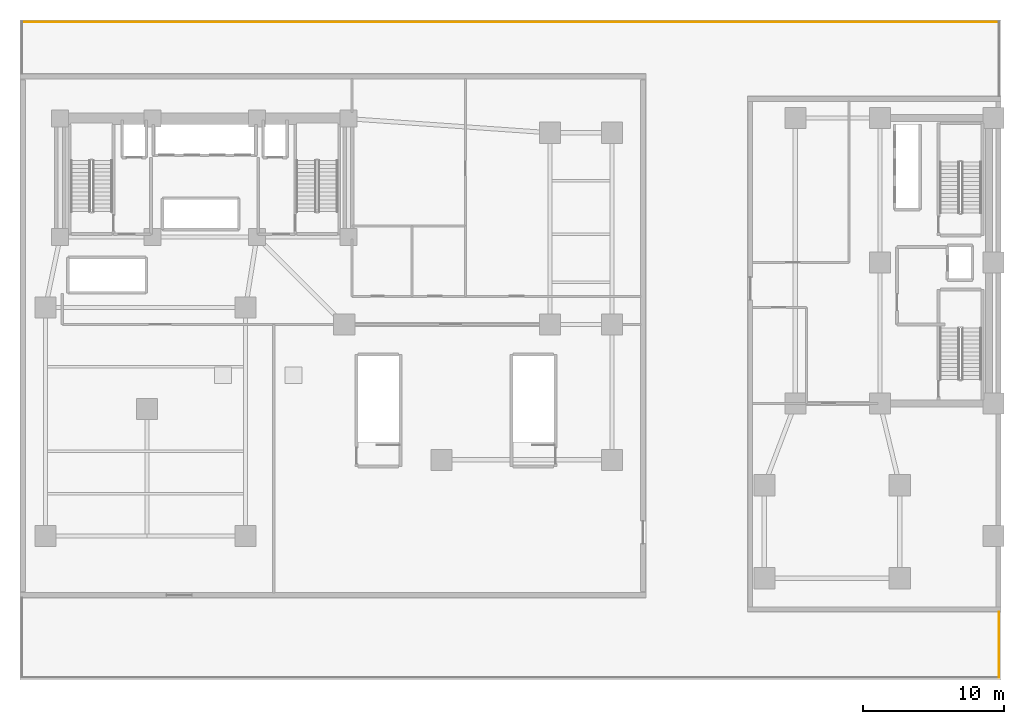
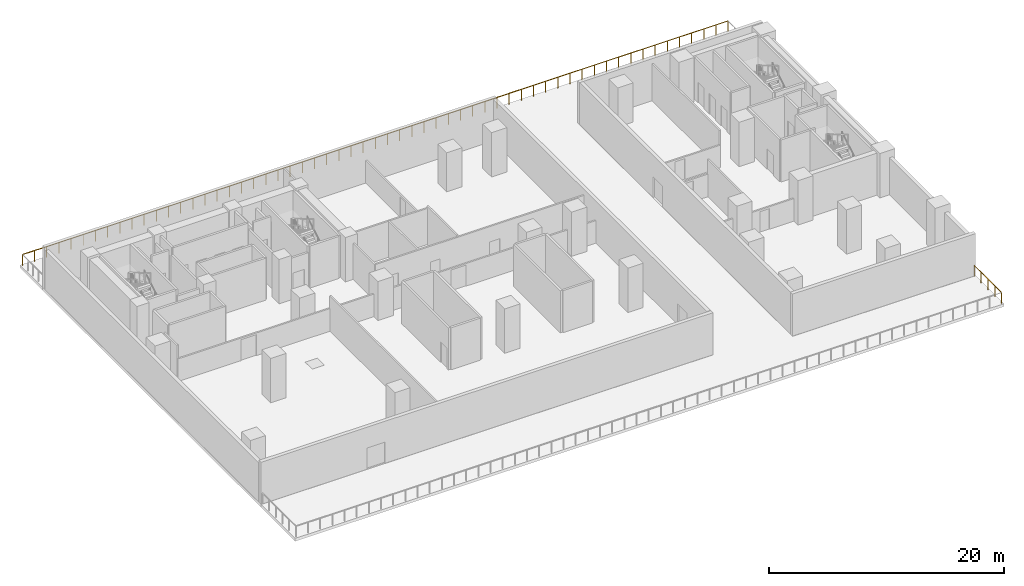
# One storey, part 8 of 9: 2 railings.
"""IFC4 building model written with IfcOpenShell, lengths in metres."""

from ifc_helpers import new_model, si_unit, direction, frame, origin, origin_2d, place, context, subcontext, project, spatial, circle, extrude, material, layer, layer_set, type_object, element, save


model = new_model("IFC4")

# Units and contexts
model_context = context("Model", 3, precision=1e-05, world=origin(), true_north=direction((0.0, 1.0)))
body_context = subcontext(model_context, "Body", "Model", "MODEL_VIEW")
ifc_project = project(units=[si_unit("LENGTHUNIT", "METRE"), si_unit("AREAUNIT", "SQUARE_METRE"), si_unit("VOLUMEUNIT", "CUBIC_METRE"), si_unit("PLANEANGLEUNIT", "RADIAN"), si_unit("MASSUNIT", "GRAM", prefix="KILO")], contexts=[model_context])

# Site, building, storey
site_placement = place(None, origin())
site = spatial("IfcSite", under=ifc_project, at=site_placement, CompositionType="ELEMENT")
building_placement = place(site_placement, origin())
building = spatial("IfcBuilding", under=site, at=building_placement, Name="Kuzgunbayir Cultural Tower", CompositionType="ELEMENT")
storey_placement = place(building_placement, frame((0.0, 0.0, 21.800048828125)))
storey = spatial("IfcBuildingStorey", under=building, at=storey_placement, Name="L05", CompositionType="ELEMENT", Elevation=21.800048828125)

# Railings
ifc_material = material(Name="Laminated Glass and Stainless Steel", Category="steel")
ifc_layer = layer(ifc_material, 0.080078125)
ifc_layer_set = layer_set([ifc_layer], Name="Laminated Glass and Stainless Steel")
railing_type = type_object("IfcRailingType", Name="RLG-BAL-115", PredefinedType="BALUSTRADE", material=ifc_layer_set)
railing_1_placement = place(storey_placement, frame((73.050048828125, 2.550048828125, 0.0)))
element("IfcRailing", 1, at=railing_1_placement, inside=storey, type_object=railing_type, Name="L05 Raised Garden South Guard Segment 3", PredefinedType="BALUSTRADE", context=body_context, shape_type="SweptSolid", body=[
    extrude(circle(Radius=0.02392578125, at=origin_2d()), frame((0.0, 0.0, 1.1259765625), z_axis=(0.0, 1.0, 0.0), x_axis=(-1.0, 0.0, 0.0)), (0.0, 0.0, 1.0), 4.64990234375),
    extrude(circle(Radius=0.02099609375, at=origin_2d()), origin(), (0.0, 0.0, 1.0), 1.101806640625),
    extrude(circle(Radius=0.02099609375, at=origin_2d()), frame((0.0, 1.16259765625, 0.0)), (0.0, 0.0, 1.0), 1.101806640625),
    extrude(circle(Radius=0.02099609375, at=origin_2d()), frame((0.0, 2.324951171875, 0.0)), (0.0, 0.0, 1.0), 1.101806640625),
    extrude(circle(Radius=0.02099609375, at=origin_2d()), frame((0.0, 3.4873046875, 0.0)), (0.0, 0.0, 1.0), 1.101806640625),
    extrude(circle(Radius=0.02099609375, at=origin_2d()), frame((0.0, 4.64990234375, 0.0)), (0.0, 0.0, 1.0), 1.101806640625),
])
railing_2_placement = place(storey_placement, frame((3.75, 49.050048828125, 0.0)))
element("IfcRailing", 2, at=railing_2_placement, inside=storey, type_object=railing_type, Name="L05 Raised Garden North Guard Segment 2", PredefinedType="BALUSTRADE", context=body_context, shape_type="SweptSolid", body=[
    extrude(circle(Radius=0.02392578125, at=origin_2d()), frame((0.0, 0.0, 1.1259765625), z_axis=(1.0, 0.0, 0.0), x_axis=(0.0, 1.0, 0.0)), (0.0, 0.0, 1.0), 69.300048828125),
    extrude(circle(Radius=0.02099609375, at=origin_2d()), origin(), (0.0, 0.0, 1.0), 1.101806640625),
    extrude(circle(Radius=0.02099609375, at=origin_2d()), frame((1.19482421875, 0.0, 0.0)), (0.0, 0.0, 1.0), 1.101806640625),
    extrude(circle(Radius=0.02099609375, at=origin_2d()), frame((2.3896484375, 0.0, 0.0)), (0.0, 0.0, 1.0), 1.101806640625),
    extrude(circle(Radius=0.02099609375, at=origin_2d()), frame((3.58447265625, 0.0, 0.0)), (0.0, 0.0, 1.0), 1.101806640625),
    extrude(circle(Radius=0.02099609375, at=origin_2d()), frame((4.779296875, 0.0, 0.0)), (0.0, 0.0, 1.0), 1.101806640625),
    extrude(circle(Radius=0.02099609375, at=origin_2d()), frame((5.97412109375, 0.0, 0.0)), (0.0, 0.0, 1.0), 1.101806640625),
    extrude(circle(Radius=0.02099609375, at=origin_2d()), frame((7.1689453125, 0.0, 0.0)), (0.0, 0.0, 1.0), 1.101806640625),
    extrude(circle(Radius=0.02099609375, at=origin_2d()), frame((8.36376953125, 0.0, 0.0)), (0.0, 0.0, 1.0), 1.101806640625),
    extrude(circle(Radius=0.02099609375, at=origin_2d()), frame((9.55859375, 0.0, 0.0)), (0.0, 0.0, 1.0), 1.101806640625),
    extrude(circle(Radius=0.02099609375, at=origin_2d()), frame((10.75341796875, 0.0, 0.0)), (0.0, 0.0, 1.0), 1.101806640625),
    extrude(circle(Radius=0.02099609375, at=origin_2d()), frame((11.9482421875, 0.0, 0.0)), (0.0, 0.0, 1.0), 1.101806640625),
    extrude(circle(Radius=0.02099609375, at=origin_2d()), frame((13.14306640625, 0.0, 0.0)), (0.0, 0.0, 1.0), 1.101806640625),
    extrude(circle(Radius=0.02099609375, at=origin_2d()), frame((14.337890625, 0.0, 0.0)), (0.0, 0.0, 1.0), 1.101806640625),
    extrude(circle(Radius=0.02099609375, at=origin_2d()), frame((15.53271484375, 0.0, 0.0)), (0.0, 0.0, 1.0), 1.101806640625),
    extrude(circle(Radius=0.02099609375, at=origin_2d()), frame((16.7275390625, 0.0, 0.0)), (0.0, 0.0, 1.0), 1.101806640625),
    extrude(circle(Radius=0.02099609375, at=origin_2d()), frame((17.92236328125, 0.0, 0.0)), (0.0, 0.0, 1.0), 1.101806640625),
    extrude(circle(Radius=0.02099609375, at=origin_2d()), frame((19.1171875, 0.0, 0.0)), (0.0, 0.0, 1.0), 1.101806640625),
    extrude(circle(Radius=0.02099609375, at=origin_2d()), frame((20.31201171875, 0.0, 0.0)), (0.0, 0.0, 1.0), 1.101806640625),
    extrude(circle(Radius=0.02099609375, at=origin_2d()), frame((21.5068359375, 0.0, 0.0)), (0.0, 0.0, 1.0), 1.101806640625),
    extrude(circle(Radius=0.02099609375, at=origin_2d()), frame((22.70166015625, 0.0, 0.0)), (0.0, 0.0, 1.0), 1.101806640625),
    extrude(circle(Radius=0.02099609375, at=origin_2d()), frame((23.896484375, 0.0, 0.0)), (0.0, 0.0, 1.0), 1.101806640625),
    extrude(circle(Radius=0.02099609375, at=origin_2d()), frame((25.09130859375, 0.0, 0.0)), (0.0, 0.0, 1.0), 1.101806640625),
    extrude(circle(Radius=0.02099609375, at=origin_2d()), frame((26.2861328125, 0.0, 0.0)), (0.0, 0.0, 1.0), 1.101806640625),
    extrude(circle(Radius=0.02099609375, at=origin_2d()), frame((27.48095703125, 0.0, 0.0)), (0.0, 0.0, 1.0), 1.101806640625),
    extrude(circle(Radius=0.02099609375, at=origin_2d()), frame((28.67578125, 0.0, 0.0)), (0.0, 0.0, 1.0), 1.101806640625),
    extrude(circle(Radius=0.02099609375, at=origin_2d()), frame((29.87060546875, 0.0, 0.0)), (0.0, 0.0, 1.0), 1.101806640625),
    extrude(circle(Radius=0.02099609375, at=origin_2d()), frame((31.0654296875, 0.0, 0.0)), (0.0, 0.0, 1.0), 1.101806640625),
    extrude(circle(Radius=0.02099609375, at=origin_2d()), frame((32.26025390625, 0.0, 0.0)), (0.0, 0.0, 1.0), 1.101806640625),
    extrude(circle(Radius=0.02099609375, at=origin_2d()), frame((33.455078125, 0.0, 0.0)), (0.0, 0.0, 1.0), 1.101806640625),
    extrude(circle(Radius=0.02099609375, at=origin_2d()), frame((34.64990234375, 0.0, 0.0)), (0.0, 0.0, 1.0), 1.101806640625),
    extrude(circle(Radius=0.02099609375, at=origin_2d()), frame((35.844970703125, 0.0, 0.0)), (0.0, 0.0, 1.0), 1.101806640625),
    extrude(circle(Radius=0.02099609375, at=origin_2d()), frame((37.039794921875, 0.0, 0.0)), (0.0, 0.0, 1.0), 1.101806640625),
    extrude(circle(Radius=0.02099609375, at=origin_2d()), frame((38.234619140625, 0.0, 0.0)), (0.0, 0.0, 1.0), 1.101806640625),
    extrude(circle(Radius=0.02099609375, at=origin_2d()), frame((39.429443359375, 0.0, 0.0)), (0.0, 0.0, 1.0), 1.101806640625),
    extrude(circle(Radius=0.02099609375, at=origin_2d()), frame((40.624267578125, 0.0, 0.0)), (0.0, 0.0, 1.0), 1.101806640625),
    extrude(circle(Radius=0.02099609375, at=origin_2d()), frame((41.819091796875, 0.0, 0.0)), (0.0, 0.0, 1.0), 1.101806640625),
    extrude(circle(Radius=0.02099609375, at=origin_2d()), frame((43.013916015625, 0.0, 0.0)), (0.0, 0.0, 1.0), 1.101806640625),
    extrude(circle(Radius=0.02099609375, at=origin_2d()), frame((44.208740234375, 0.0, 0.0)), (0.0, 0.0, 1.0), 1.101806640625),
    extrude(circle(Radius=0.02099609375, at=origin_2d()), frame((45.403564453125, 0.0, 0.0)), (0.0, 0.0, 1.0), 1.101806640625),
    extrude(circle(Radius=0.02099609375, at=origin_2d()), frame((46.598388671875, 0.0, 0.0)), (0.0, 0.0, 1.0), 1.101806640625),
    extrude(circle(Radius=0.02099609375, at=origin_2d()), frame((47.793212890625, 0.0, 0.0)), (0.0, 0.0, 1.0), 1.101806640625),
    extrude(circle(Radius=0.02099609375, at=origin_2d()), frame((48.988037109375, 0.0, 0.0)), (0.0, 0.0, 1.0), 1.101806640625),
    extrude(circle(Radius=0.02099609375, at=origin_2d()), frame((50.182861328125, 0.0, 0.0)), (0.0, 0.0, 1.0), 1.101806640625),
    extrude(circle(Radius=0.02099609375, at=origin_2d()), frame((51.377685546875, 0.0, 0.0)), (0.0, 0.0, 1.0), 1.101806640625),
    extrude(circle(Radius=0.02099609375, at=origin_2d()), frame((52.572509765625, 0.0, 0.0)), (0.0, 0.0, 1.0), 1.101806640625),
    extrude(circle(Radius=0.02099609375, at=origin_2d()), frame((53.767333984375, 0.0, 0.0)), (0.0, 0.0, 1.0), 1.101806640625),
    extrude(circle(Radius=0.02099609375, at=origin_2d()), frame((54.962158203125, 0.0, 0.0)), (0.0, 0.0, 1.0), 1.101806640625),
    extrude(circle(Radius=0.02099609375, at=origin_2d()), frame((56.156982421875, 0.0, 0.0)), (0.0, 0.0, 1.0), 1.101806640625),
    extrude(circle(Radius=0.02099609375, at=origin_2d()), frame((57.351806640625, 0.0, 0.0)), (0.0, 0.0, 1.0), 1.101806640625),
    extrude(circle(Radius=0.02099609375, at=origin_2d()), frame((58.546630859375, 0.0, 0.0)), (0.0, 0.0, 1.0), 1.101806640625),
    extrude(circle(Radius=0.02099609375, at=origin_2d()), frame((59.741455078125, 0.0, 0.0)), (0.0, 0.0, 1.0), 1.101806640625),
    extrude(circle(Radius=0.02099609375, at=origin_2d()), frame((60.936279296875, 0.0, 0.0)), (0.0, 0.0, 1.0), 1.101806640625),
    extrude(circle(Radius=0.02099609375, at=origin_2d()), frame((62.131103515625, 0.0, 0.0)), (0.0, 0.0, 1.0), 1.101806640625),
    extrude(circle(Radius=0.02099609375, at=origin_2d()), frame((63.325927734375, 0.0, 0.0)), (0.0, 0.0, 1.0), 1.101806640625),
    extrude(circle(Radius=0.02099609375, at=origin_2d()), frame((64.520751953125, 0.0, 0.0)), (0.0, 0.0, 1.0), 1.101806640625),
    extrude(circle(Radius=0.02099609375, at=origin_2d()), frame((65.715576171875, 0.0, 0.0)), (0.0, 0.0, 1.0), 1.101806640625),
    extrude(circle(Radius=0.02099609375, at=origin_2d()), frame((66.910400390625, 0.0, 0.0)), (0.0, 0.0, 1.0), 1.101806640625),
    extrude(circle(Radius=0.02099609375, at=origin_2d()), frame((68.105224609375, 0.0, 0.0)), (0.0, 0.0, 1.0), 1.101806640625),
    extrude(circle(Radius=0.02099609375, at=origin_2d()), frame((69.300048828125, 0.0, 0.0)), (0.0, 0.0, 1.0), 1.101806640625),
])

save(model, "model.ifc")
